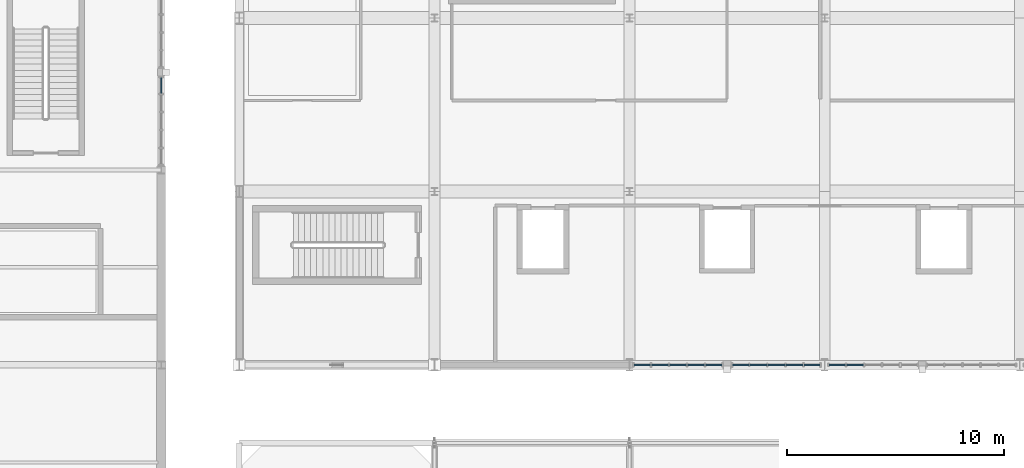
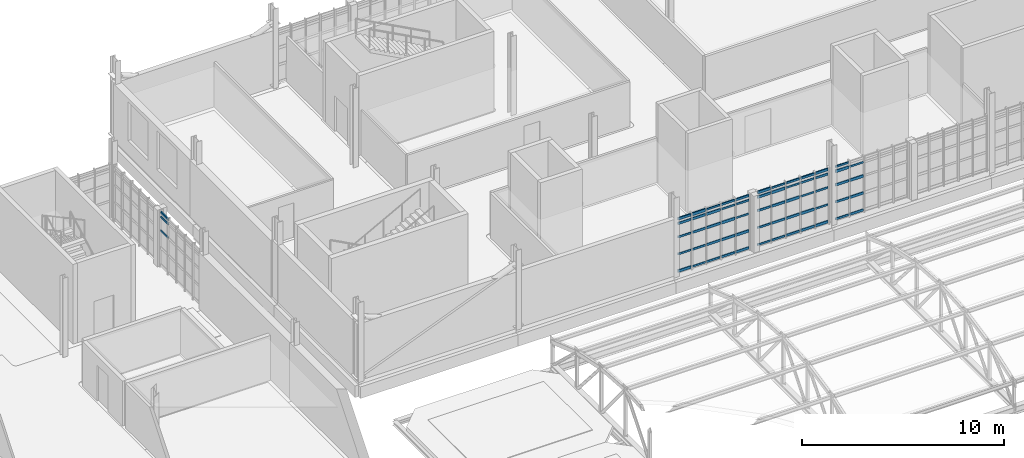
# One storey, part 61 of 128: 62 members, 4 elements without a shape of their own.
"""IFC4 building model written with IfcOpenShell, lengths in metres."""

import ifcopenshell
import ifcopenshell.guid

model = None  # the IFC model being written
_history = None  # IfcOwnerHistory: only IFC2X3 demands one
_inside = {}  # id of a spatial element -> (the spatial element, [elements in it])
_under = {}  # id of a project, library or spatial element -> (it, [spatial elements below it])
_declared = {}  # id of a project -> (the project, [libraries it declares])
_typed = {}  # id of a type object -> (the type object, [elements of that type])
_made_of = {}  # id of a material, layer set ... -> (it, [elements and type objects made of it])


def new_model(schema):
    """Start an empty IFC model of exactly this schema.

    Asked for "IFC4X3", IfcOpenShell would pick the latest addendum, in which some entities
    have other attributes; the version numbers below select the first issue.
    IFC2X3 requires an IfcOwnerHistory on every rooted entity: one is made here for all.
    """
    global model, _history
    if schema == "IFC4X3":
        model = ifcopenshell.file(schema_version=(4, 3, 0, 0))
    else:
        model = ifcopenshell.file(schema=schema)
    _inside.clear()
    _under.clear()
    _declared.clear()
    _typed.clear()
    _made_of.clear()
    _history = None
    if model.schema == "IFC2X3":
        org = make("IfcOrganization", Name="unknown")
        user = make(
            "IfcPersonAndOrganization",
            ThePerson=make("IfcPerson", FamilyName="unknown"),
            TheOrganization=org,
        )
        app = make(
            "IfcApplication",
            ApplicationDeveloper=org,
            Version="unknown",
            ApplicationFullName="unknown",
            ApplicationIdentifier="unknown",
        )
        _history = make(
            "IfcOwnerHistory",
            OwningUser=user,
            OwningApplication=app,
            ChangeAction="ADDED",
            CreationDate=0,
        )
    return model


def make(cls, **values):
    """One entity of the class cls with the attributes given. An attribute that is None is left unset."""
    return model.create_entity(
        cls, **{name: value for name, value in values.items() if value is not None}
    )


def rooted(cls, **values):
    """An entity with a GlobalId (a new one), such as an element, a storey or a relation."""
    return make(cls, GlobalId=ifcopenshell.guid.new(), OwnerHistory=_history, **values)


def si_unit(unit_type, name, prefix=None):
    """IfcSIUnit, for example si_unit("LENGTHUNIT", "METRE", prefix="MILLI")."""
    return make("IfcSIUnit", UnitType=unit_type, Prefix=prefix, Name=name)


def assignment(units):
    """IfcUnitAssignment: the units of a project."""
    return None if units is None else make("IfcUnitAssignment", Units=units)


def point(xyz):
    """IfcCartesianPoint."""
    return None if xyz is None else make("IfcCartesianPoint", Coordinates=xyz)


def direction(xyz):
    """IfcDirection."""
    return None if xyz is None else make("IfcDirection", DirectionRatios=xyz)


def frame(location, z_axis=None, x_axis=None):
    """IfcAxis2Placement3D, a coordinate frame: its origin and axes. An axis left out is left unset."""
    return make(
        "IfcAxis2Placement3D",
        Location=point(location),
        Axis=direction(z_axis),
        RefDirection=direction(x_axis),
    )


def frame_2d(location, x_axis=None):
    """IfcAxis2Placement2D, a coordinate frame in the plane: its origin and x axis."""
    return make(
        "IfcAxis2Placement2D", Location=point(location), RefDirection=direction(x_axis)
    )


def origin():
    """The frame at (0, 0, 0) with its axes left unset."""
    return frame((0.0, 0.0, 0.0))


def origin_2d():
    """The frame at (0, 0) in the plane with its x axis left unset."""
    return frame_2d((0.0, 0.0))


def place(relative_to, where):
    """IfcLocalPlacement: puts the frame where relative to a parent placement (None: the world)."""
    return make(
        "IfcLocalPlacement", PlacementRelTo=relative_to, RelativePlacement=where
    )


def context(
    kind, dimensions, precision=None, world=None, true_north=None, identifier=None
):
    """IfcGeometricRepresentationContext, for example the 3D "Model" context."""
    return make(
        "IfcGeometricRepresentationContext",
        ContextIdentifier=identifier,
        ContextType=kind,
        CoordinateSpaceDimension=dimensions,
        Precision=precision,
        WorldCoordinateSystem=world,
        TrueNorth=true_north,
    )


def subcontext(parent, identifier, kind, view, scale=None):
    """IfcGeometricRepresentationSubContext, for example "Body" below "Model"."""
    return make(
        "IfcGeometricRepresentationSubContext",
        ContextIdentifier=identifier,
        ContextType=kind,
        ParentContext=parent,
        TargetScale=scale,
        TargetView=view,
    )


def project(units=None, contexts=None):
    """IfcProject with its units and contexts."""
    return rooted(
        "IfcProject",
        Name="project",
        RepresentationContexts=contexts,
        UnitsInContext=assignment(units),
    )


def spatial(cls, under=None, at=None, **own):
    """A site, building, storey or space (cls), placed at a placement, below another one or the project."""
    s = rooted(cls, ObjectPlacement=at, **own)
    if under is not None:
        _under.setdefault(under.id(), (under, []))[1].append(s)
    return s


def profile(cls, at=None, kind="AREA", **sizes):
    """A parametric profile (cls). Its sizes go by their IFC names, for example OverallWidth=200.0."""
    return make(cls, ProfileType=kind, Position=at, **sizes)


def rectangle(**sizes):
    """IfcRectangleProfileDef."""
    return profile("IfcRectangleProfileDef", **sizes)


def extrude(swept, where, along, depth):
    """IfcExtrudedAreaSolid: the profile swept, set in the frame where, extruded along a direction by depth."""
    return make(
        "IfcExtrudedAreaSolid",
        SweptArea=swept,
        Position=where,
        ExtrudedDirection=direction(along),
        Depth=depth,
    )


def shape(context_of_items, identifier, shape_type, items):
    """IfcShapeRepresentation: the items that make up one representation, for example the "Body"."""
    return make(
        "IfcShapeRepresentation",
        ContextOfItems=context_of_items,
        RepresentationIdentifier=identifier,
        RepresentationType=shape_type,
        Items=items,
    )


def material(Name=None, Category=None):
    """IfcMaterial."""
    return make("IfcMaterial", Name=Name, Category=Category)


def material_profile(
    of_material, cross_section, Name=None, Category=None, Priority=None
):
    """IfcMaterialProfile: a cross section and its material."""
    return make(
        "IfcMaterialProfile",
        Name=Name,
        Material=of_material,
        Profile=cross_section,
        Priority=Priority,
        Category=Category,
    )


def profile_set(profiles, Name=None, composite=None):
    """IfcMaterialProfileSet."""
    return make(
        "IfcMaterialProfileSet",
        Name=Name,
        MaterialProfiles=profiles,
        CompositeProfile=composite,
    )


def made_of(thing, what):
    """Note that an element or type object is made of a material, layer set ...; save() writes the relation."""
    if what is not None:
        _made_of.setdefault(what.id(), (what, []))[1].append(thing)
    return thing


def type_object(cls, material=None, **own):
    """A type object (cls), such as IfcWallType, which elements share."""
    return made_of(rooted(cls, **own), material)


def element(
    cls,
    number,
    at=None,
    inside=None,
    cuts=None,
    type_object=None,
    material=None,
    context=None,
    identifier="Body",
    shape_type=None,
    held_by="IfcProductDefinitionShape",
    body=None,
    shapes=None,
    **own,
):
    """One element of the class cls, such as IfcWall. Its Tag is "e" and its number.

    at: its placement. inside: the storey or other place that contains it. cuts: it is an
    opening in that element (IfcRelVoidsElement). A single representation is given by context,
    identifier, shape_type and body (its items); several are given by shapes. held_by: the class
    of the entity that holds the representations. save() writes the other relations.
    """
    e = rooted(cls, Tag="e%d" % number, ObjectPlacement=at, **own)
    if body is not None:
        shapes = [shape(context, identifier, shape_type, body)]
    if shapes is not None:
        e.Representation = make(held_by, Representations=shapes)
    if inside is not None:
        _inside.setdefault(inside.id(), (inside, []))[1].append(e)
    if cuts is not None:
        rooted(
            "IfcRelVoidsElement", RelatingBuildingElement=cuts, RelatedOpeningElement=e
        )
    if type_object is not None:
        _typed.setdefault(type_object.id(), (type_object, []))[1].append(e)
    return made_of(e, material)


def aggregate(whole, parts):
    """IfcRelAggregates: a whole, such as a stair, and the parts it consists of."""
    return rooted("IfcRelAggregates", RelatingObject=whole, RelatedObjects=parts)


def save(model, path):
    """Write the relations noted so far, then the file.

    IfcRelAggregates (storeys below a building ...), IfcRelContainedInSpatialStructure (elements
    in a storey), IfcRelDefinesByType, IfcRelAssociatesMaterial and IfcRelDeclares: one each for
    every whole, place, type object, material and project.
    """
    for whole, parts in _under.values():
        aggregate(whole, parts)
    for where, things in _inside.values():
        rooted(
            "IfcRelContainedInSpatialStructure",
            RelatedElements=things,
            RelatingStructure=where,
        )
    for kind, things in _typed.values():
        rooted("IfcRelDefinesByType", RelatedObjects=things, RelatingType=kind)
    for what, things in _made_of.values():
        rooted("IfcRelAssociatesMaterial", RelatedObjects=things, RelatingMaterial=what)
    for by, libraries in _declared.values():
        rooted("IfcRelDeclares", RelatingContext=by, RelatedDefinitions=libraries)
    model.write(path)


model = new_model("IFC4")

# Units and contexts
model_context = context("Model", 3, precision=1e-05, world=origin(), true_north=direction((0.0, 1.0)))
body_context = subcontext(model_context, "Body", "Model", "MODEL_VIEW")
ifc_project = project(units=[si_unit("LENGTHUNIT", "METRE"), si_unit("AREAUNIT", "SQUARE_METRE"), si_unit("VOLUMEUNIT", "CUBIC_METRE"), si_unit("PLANEANGLEUNIT", "RADIAN"), si_unit("MASSUNIT", "GRAM", prefix="KILO")], contexts=[model_context])

# Site, building, storey
site_placement = place(None, origin())
site = spatial("IfcSite", under=ifc_project, at=site_placement, CompositionType="ELEMENT")
building_placement = place(site_placement, origin())
building = spatial("IfcBuilding", under=site, at=building_placement, Name="Serraforn Aerial Cableway Station", CompositionType="ELEMENT")
storey_placement = place(building_placement, frame((0.0, 0.0, 9.0)))
storey = spatial("IfcBuildingStorey", under=building, at=storey_placement, Name="L02", CompositionType="ELEMENT", Elevation=9.0)

# Curtain wall, member
ifc_material_1 = material(Name="Anodised bronze unitised curtain wall")
curtain_wall_type_1 = type_object("IfcCurtainWallType", Name="CW-SYS-5", PredefinedType="USERDEFINED", material=ifc_material_1)
curtain_wall_1_placement = place(storey_placement, origin())
curtain_wall_1 = element("IfcCurtainWall", 1, at=curtain_wall_1_placement, inside=storey, type_object=curtain_wall_type_1, Name="Unitised Curtain Wall CW-W-L02-E3A", ObjectType="UNITISED CURTAIN WALL", PredefinedType="USERDEFINED")
ifc_material_2 = material(Name="Anodised bronze extruded aluminium", Category="aluminium")
ifc_material_profile_1 = material_profile(ifc_material_2, rectangle(XDim=0.054931640625, YDim=0.110107421875, at=origin_2d()), Name="CW TRANSOM 55x110")
ifc_profile_set_1 = profile_set([ifc_material_profile_1], Name="Anodised bronze extruded aluminium")
member_type_1 = type_object("IfcMemberType", Name="CW-TRN-1", PredefinedType="USERDEFINED", material=ifc_profile_set_1)
member_1_placement = place(storey_placement, frame((24.0, 30.522216796875, 2.188720703125), z_axis=(0.0, 1.0, 0.0), x_axis=(-1.0, 0.0, 0.0)))
member_1 = element("IfcMember", 2, at=member_1_placement, type_object=member_type_1, Name="Curtain Wall Transom CW-W-L02-E3A-T5-3", ObjectType="TRANSOM", PredefinedType="USERDEFINED", context=body_context, shape_type="SweptSolid", body=[
    extrude(rectangle(XDim=0.054931640625, YDim=0.110107421875, at=origin_2d()), origin(), (0.0, 0.0, 1.0), 0.729736328125),
])

# Curtain wall, members
curtain_wall_type_2 = type_object("IfcCurtainWallType", Name="CW-SYS-19", PredefinedType="USERDEFINED", material=ifc_material_1)
curtain_wall_2_placement = place(storey_placement, origin())
curtain_wall_2 = element("IfcCurtainWall", 3, at=curtain_wall_2_placement, inside=storey, type_object=curtain_wall_type_2, Name="Unitised Curtain Wall CW-CV-L02-S3A", ObjectType="UNITISED CURTAIN WALL", PredefinedType="USERDEFINED")
member_2_placement = place(storey_placement, frame((45.81591796875, 18.0, 1.162841796875), z_axis=(1.0, 0.0, 0.0), x_axis=(0.0, 1.0, 0.0)))
member_2 = element("IfcMember", 4, at=member_2_placement, type_object=member_type_1, Name="Curtain Wall Transom CW-CV-L02-S3A-T1-2", ObjectType="TRANSOM", PredefinedType="USERDEFINED", context=body_context, shape_type="SweptSolid", body=[
    extrude(rectangle(XDim=0.054931640625, YDim=0.110107421875, at=origin_2d()), origin(), (0.0, 0.0, 1.0), 0.73095703125),
])
member_3_placement = place(storey_placement, frame((46.617919921875, 18.0, 0.13671875), z_axis=(1.0, 0.0, 0.0), x_axis=(0.0, 1.0, 0.0)))
member_3 = element("IfcMember", 5, at=member_3_placement, type_object=member_type_1, Name="Curtain Wall Transom CW-CV-L02-S3A-T2-1", ObjectType="TRANSOM", PredefinedType="USERDEFINED", context=body_context, shape_type="SweptSolid", body=[
    extrude(rectangle(XDim=0.054931640625, YDim=0.110107421875, at=origin_2d()), origin(), (0.0, 0.0, 1.0), 0.7734375),
])
member_4_placement = place(storey_placement, frame((47.4423828125, 18.0, 3.283203125), z_axis=(1.0, 0.0, 0.0), x_axis=(0.0, 1.0, 0.0)))
member_4 = element("IfcMember", 6, at=member_4_placement, type_object=member_type_1, Name="Curtain Wall Transom CW-CV-L02-S3A-T3-5", ObjectType="TRANSOM", PredefinedType="USERDEFINED", context=body_context, shape_type="SweptSolid", body=[
    extrude(rectangle(XDim=0.054931640625, YDim=0.110107421875, at=origin_2d()), origin(), (0.0, 0.0, 1.0), 0.78076171875),
])
member_5_placement = place(storey_placement, frame((48.279296875, 18.0, 3.009521484375), z_axis=(1.0, 0.0, 0.0), x_axis=(0.0, 1.0, 0.0)))
member_5 = element("IfcMember", 7, at=member_5_placement, type_object=member_type_1, Name="Curtain Wall Transom CW-CV-L02-S3A-T4-4", ObjectType="TRANSOM", PredefinedType="USERDEFINED", context=body_context, shape_type="SweptSolid", body=[
    extrude(rectangle(XDim=0.054931640625, YDim=0.110107421875, at=origin_2d()), origin(), (0.0, 0.0, 1.0), 0.77587890625),
])
member_6_placement = place(storey_placement, frame((49.1162109375, 18.0, 2.188720703125), z_axis=(1.0, 0.0, 0.0), x_axis=(0.0, 1.0, 0.0)))
member_6 = element("IfcMember", 8, at=member_6_placement, type_object=member_type_1, Name="Curtain Wall Transom CW-CV-L02-S3A-T5-3", ObjectType="TRANSOM", PredefinedType="USERDEFINED", context=body_context, shape_type="SweptSolid", body=[
    extrude(rectangle(XDim=0.054931640625, YDim=0.110107421875, at=origin_2d()), origin(), (0.0, 0.0, 1.0), 0.73583984375),
])

curtain_wall_type_3 = type_object("IfcCurtainWallType", Name="CW-SYS-20", PredefinedType="USERDEFINED", material=ifc_material_1)
curtain_wall_3_placement = place(storey_placement, origin())
curtain_wall_3 = element("IfcCurtainWall", 9, at=curtain_wall_3_placement, inside=storey, type_object=curtain_wall_type_3, Name="Unitised Curtain Wall CW-CV-L02-S3B", ObjectType="UNITISED CURTAIN WALL", PredefinedType="USERDEFINED")
member_7_placement = place(storey_placement, frame((50.35302734375, 18.0, 0.13671875), z_axis=(1.0, 0.0, 0.0), x_axis=(0.0, 1.0, 0.0)))
member_7 = element("IfcMember", 10, at=member_7_placement, type_object=member_type_1, Name="Curtain Wall Transom CW-CV-L02-S3B-T1-1", ObjectType="TRANSOM", PredefinedType="USERDEFINED", context=body_context, shape_type="SweptSolid", body=[
    extrude(rectangle(XDim=0.054931640625, YDim=0.110107421875, at=origin_2d()), origin(), (0.0, 0.0, 1.0), 0.73583984375),
])
member_8_placement = place(storey_placement, frame((51.139892578125, 18.0, 3.283203125), z_axis=(1.0, 0.0, 0.0), x_axis=(0.0, 1.0, 0.0)))
member_8 = element("IfcMember", 11, at=member_8_placement, type_object=member_type_1, Name="Curtain Wall Transom CW-CV-L02-S3B-T2-5", ObjectType="TRANSOM", PredefinedType="USERDEFINED", context=body_context, shape_type="SweptSolid", body=[
    extrude(rectangle(XDim=0.054931640625, YDim=0.110107421875, at=origin_2d()), origin(), (0.0, 0.0, 1.0), 0.781005859375),
])
member_9_placement = place(storey_placement, frame((51.976806640625, 18.0, 3.009521484375), z_axis=(1.0, 0.0, 0.0), x_axis=(0.0, 1.0, 0.0)))
member_9 = element("IfcMember", 12, at=member_9_placement, type_object=member_type_1, Name="Curtain Wall Transom CW-CV-L02-S3B-T3-4", ObjectType="TRANSOM", PredefinedType="USERDEFINED", context=body_context, shape_type="SweptSolid", body=[
    extrude(rectangle(XDim=0.054931640625, YDim=0.110107421875, at=origin_2d()), origin(), (0.0, 0.0, 1.0), 0.77587890625),
])
member_10_placement = place(storey_placement, frame((52.813720703125, 18.0, 2.188720703125), z_axis=(1.0, 0.0, 0.0), x_axis=(0.0, 1.0, 0.0)))
member_10 = element("IfcMember", 13, at=member_10_placement, type_object=member_type_1, Name="Curtain Wall Transom CW-CV-L02-S3B-T4-3", ObjectType="TRANSOM", PredefinedType="USERDEFINED", context=body_context, shape_type="SweptSolid", body=[
    extrude(rectangle(XDim=0.054931640625, YDim=0.110107421875, at=origin_2d()), origin(), (0.0, 0.0, 1.0), 0.77099609375),
])
member_11_placement = place(storey_placement, frame((53.650634765625, 18.0, 1.162841796875), z_axis=(1.0, 0.0, 0.0), x_axis=(0.0, 1.0, 0.0)))
member_11 = element("IfcMember", 14, at=member_11_placement, type_object=member_type_1, Name="Curtain Wall Transom CW-CV-L02-S3B-T5-2", ObjectType="TRANSOM", PredefinedType="USERDEFINED", context=body_context, shape_type="SweptSolid", body=[
    extrude(rectangle(XDim=0.054931640625, YDim=0.110107421875, at=origin_2d()), origin(), (0.0, 0.0, 1.0), 0.728271484375),
])

curtain_wall_type_4 = type_object("IfcCurtainWallType", Name="CW-SYS-21", PredefinedType="USERDEFINED", material=ifc_material_1)
curtain_wall_4_placement = place(storey_placement, origin())
curtain_wall_4 = element("IfcCurtainWall", 15, at=curtain_wall_4_placement, inside=storey, type_object=curtain_wall_type_4, Name="Unitised Curtain Wall CW-CV-L02-S4A", ObjectType="UNITISED CURTAIN WALL", PredefinedType="USERDEFINED")
member_12_placement = place(storey_placement, frame((54.801025390625, 18.0, 3.283203125), z_axis=(1.0, 0.0, 0.0), x_axis=(0.0, 1.0, 0.0)))
member_12 = element("IfcMember", 16, at=member_12_placement, type_object=member_type_1, Name="Curtain Wall Transom CW-CV-L02-S4A-T1-5", ObjectType="TRANSOM", PredefinedType="USERDEFINED", context=body_context, shape_type="SweptSolid", body=[
    extrude(rectangle(XDim=0.054931640625, YDim=0.110107421875, at=origin_2d()), origin(), (0.0, 0.0, 1.0), 0.75341796875),
])
member_13_placement = place(storey_placement, frame((55.6103515625, 18.0, 3.009521484375), z_axis=(1.0, 0.0, 0.0), x_axis=(0.0, 1.0, 0.0)))
member_13 = element("IfcMember", 17, at=member_13_placement, type_object=member_type_1, Name="Curtain Wall Transom CW-CV-L02-S4A-T2-4", ObjectType="TRANSOM", PredefinedType="USERDEFINED", context=body_context, shape_type="SweptSolid", body=[
    extrude(rectangle(XDim=0.054931640625, YDim=0.110107421875, at=origin_2d()), origin(), (0.0, 0.0, 1.0), 0.77587890625),
])

# Member
ifc_material_profile_2 = material_profile(ifc_material_2, rectangle(XDim=0.06005859375, YDim=0.1201171875, at=origin_2d()), Name="CW TRANSOM 60x120")
ifc_profile_set_2 = profile_set([ifc_material_profile_2], Name="Anodised bronze extruded aluminium")
member_type_2 = type_object("IfcMemberType", Name="CW-TRN-2", PredefinedType="USERDEFINED", material=ifc_profile_set_2)
member_14_placement = place(storey_placement, frame((24.0, 30.522216796875, 3.009521484375), z_axis=(0.0, 1.0, 0.0), x_axis=(-1.0, 0.0, 0.0)))
member_14 = element("IfcMember", 18, at=member_14_placement, type_object=member_type_2, Name="Curtain Wall Transom CW-W-L02-E3A-T5-4", ObjectType="TRANSOM", PredefinedType="USERDEFINED", context=body_context, shape_type="SweptSolid", body=[
    extrude(rectangle(XDim=0.06005859375, YDim=0.1201171875, at=origin_2d()), origin(), (0.0, 0.0, 1.0), 0.729736328125),
])

member_15_placement = place(storey_placement, frame((45.81591796875, 18.0, 2.188720703125), z_axis=(1.0, 0.0, 0.0), x_axis=(0.0, 1.0, 0.0)))
member_15 = element("IfcMember", 19, at=member_15_placement, type_object=member_type_2, Name="Curtain Wall Transom CW-CV-L02-S3A-T1-3", ObjectType="TRANSOM", PredefinedType="USERDEFINED", context=body_context, shape_type="SweptSolid", body=[
    extrude(rectangle(XDim=0.06005859375, YDim=0.1201171875, at=origin_2d()), origin(), (0.0, 0.0, 1.0), 0.73095703125),
])

member_16_placement = place(storey_placement, frame((46.617919921875, 18.0, 1.162841796875), z_axis=(1.0, 0.0, 0.0), x_axis=(0.0, 1.0, 0.0)))
member_16 = element("IfcMember", 20, at=member_16_placement, type_object=member_type_2, Name="Curtain Wall Transom CW-CV-L02-S3A-T2-2", ObjectType="TRANSOM", PredefinedType="USERDEFINED", context=body_context, shape_type="SweptSolid", body=[
    extrude(rectangle(XDim=0.06005859375, YDim=0.1201171875, at=origin_2d()), origin(), (0.0, 0.0, 1.0), 0.7734375),
])

member_17_placement = place(storey_placement, frame((47.4423828125, 18.0, 0.13671875), z_axis=(1.0, 0.0, 0.0), x_axis=(0.0, 1.0, 0.0)))
member_17 = element("IfcMember", 21, at=member_17_placement, type_object=member_type_2, Name="Curtain Wall Transom CW-CV-L02-S3A-T3-1", ObjectType="TRANSOM", PredefinedType="USERDEFINED", context=body_context, shape_type="SweptSolid", body=[
    extrude(rectangle(XDim=0.06005859375, YDim=0.1201171875, at=origin_2d()), origin(), (0.0, 0.0, 1.0), 0.78076171875),
])

member_18_placement = place(storey_placement, frame((48.279296875, 18.0, 3.283203125), z_axis=(1.0, 0.0, 0.0), x_axis=(0.0, 1.0, 0.0)))
member_18 = element("IfcMember", 22, at=member_18_placement, type_object=member_type_2, Name="Curtain Wall Transom CW-CV-L02-S3A-T4-5", ObjectType="TRANSOM", PredefinedType="USERDEFINED", context=body_context, shape_type="SweptSolid", body=[
    extrude(rectangle(XDim=0.06005859375, YDim=0.1201171875, at=origin_2d()), origin(), (0.0, 0.0, 1.0), 0.77587890625),
])

member_19_placement = place(storey_placement, frame((49.1162109375, 18.0, 3.009521484375), z_axis=(1.0, 0.0, 0.0), x_axis=(0.0, 1.0, 0.0)))
member_19 = element("IfcMember", 23, at=member_19_placement, type_object=member_type_2, Name="Curtain Wall Transom CW-CV-L02-S3A-T5-4", ObjectType="TRANSOM", PredefinedType="USERDEFINED", context=body_context, shape_type="SweptSolid", body=[
    extrude(rectangle(XDim=0.06005859375, YDim=0.1201171875, at=origin_2d()), origin(), (0.0, 0.0, 1.0), 0.73583984375),
])

member_20_placement = place(storey_placement, frame((50.35302734375, 18.0, 1.162841796875), z_axis=(1.0, 0.0, 0.0), x_axis=(0.0, 1.0, 0.0)))
member_20 = element("IfcMember", 24, at=member_20_placement, type_object=member_type_2, Name="Curtain Wall Transom CW-CV-L02-S3B-T1-2", ObjectType="TRANSOM", PredefinedType="USERDEFINED", context=body_context, shape_type="SweptSolid", body=[
    extrude(rectangle(XDim=0.06005859375, YDim=0.1201171875, at=origin_2d()), origin(), (0.0, 0.0, 1.0), 0.73583984375),
])

member_21_placement = place(storey_placement, frame((51.139892578125, 18.0, 0.13671875), z_axis=(1.0, 0.0, 0.0), x_axis=(0.0, 1.0, 0.0)))
member_21 = element("IfcMember", 25, at=member_21_placement, type_object=member_type_2, Name="Curtain Wall Transom CW-CV-L02-S3B-T2-1", ObjectType="TRANSOM", PredefinedType="USERDEFINED", context=body_context, shape_type="SweptSolid", body=[
    extrude(rectangle(XDim=0.06005859375, YDim=0.1201171875, at=origin_2d()), origin(), (0.0, 0.0, 1.0), 0.781005859375),
])

member_22_placement = place(storey_placement, frame((51.976806640625, 18.0, 3.283203125), z_axis=(1.0, 0.0, 0.0), x_axis=(0.0, 1.0, 0.0)))
member_22 = element("IfcMember", 26, at=member_22_placement, type_object=member_type_2, Name="Curtain Wall Transom CW-CV-L02-S3B-T3-5", ObjectType="TRANSOM", PredefinedType="USERDEFINED", context=body_context, shape_type="SweptSolid", body=[
    extrude(rectangle(XDim=0.06005859375, YDim=0.1201171875, at=origin_2d()), origin(), (0.0, 0.0, 1.0), 0.77587890625),
])

member_23_placement = place(storey_placement, frame((52.813720703125, 18.0, 3.009521484375), z_axis=(1.0, 0.0, 0.0), x_axis=(0.0, 1.0, 0.0)))
member_23 = element("IfcMember", 27, at=member_23_placement, type_object=member_type_2, Name="Curtain Wall Transom CW-CV-L02-S3B-T4-4", ObjectType="TRANSOM", PredefinedType="USERDEFINED", context=body_context, shape_type="SweptSolid", body=[
    extrude(rectangle(XDim=0.06005859375, YDim=0.1201171875, at=origin_2d()), origin(), (0.0, 0.0, 1.0), 0.77099609375),
])

member_24_placement = place(storey_placement, frame((53.650634765625, 18.0, 2.188720703125), z_axis=(1.0, 0.0, 0.0), x_axis=(0.0, 1.0, 0.0)))
member_24 = element("IfcMember", 28, at=member_24_placement, type_object=member_type_2, Name="Curtain Wall Transom CW-CV-L02-S3B-T5-3", ObjectType="TRANSOM", PredefinedType="USERDEFINED", context=body_context, shape_type="SweptSolid", body=[
    extrude(rectangle(XDim=0.06005859375, YDim=0.1201171875, at=origin_2d()), origin(), (0.0, 0.0, 1.0), 0.728271484375),
])

member_25_placement = place(storey_placement, frame((54.801025390625, 18.0, 0.13671875), z_axis=(1.0, 0.0, 0.0), x_axis=(0.0, 1.0, 0.0)))
member_25 = element("IfcMember", 29, at=member_25_placement, type_object=member_type_2, Name="Curtain Wall Transom CW-CV-L02-S4A-T1-1", ObjectType="TRANSOM", PredefinedType="USERDEFINED", context=body_context, shape_type="SweptSolid", body=[
    extrude(rectangle(XDim=0.06005859375, YDim=0.1201171875, at=origin_2d()), origin(), (0.0, 0.0, 1.0), 0.75341796875),
])

ifc_material_profile_3 = material_profile(ifc_material_2, rectangle(XDim=0.06494140625, YDim=0.135009765625, at=origin_2d()), Name="CW TRANSOM 65x135")
ifc_profile_set_3 = profile_set([ifc_material_profile_3], Name="Anodised bronze extruded aluminium")
member_type_3 = type_object("IfcMemberType", Name="CW-TRN-3", PredefinedType="USERDEFINED", material=ifc_profile_set_3)
member_26_placement = place(storey_placement, frame((24.0, 30.522216796875, 3.283203125), z_axis=(0.0, 1.0, 0.0), x_axis=(-1.0, 0.0, 0.0)))
member_26 = element("IfcMember", 30, at=member_26_placement, type_object=member_type_3, Name="Curtain Wall Transom CW-W-L02-E3A-T5-5", ObjectType="TRANSOM", PredefinedType="USERDEFINED", context=body_context, shape_type="SweptSolid", body=[
    extrude(rectangle(XDim=0.06494140625, YDim=0.135009765625, at=origin_2d()), origin(), (0.0, 0.0, 1.0), 0.729736328125),
])

aggregate(curtain_wall_1, [member_1, member_14, member_26])

member_27_placement = place(storey_placement, frame((45.81591796875, 18.0, 3.009521484375), z_axis=(1.0, 0.0, 0.0), x_axis=(0.0, 1.0, 0.0)))
member_27 = element("IfcMember", 31, at=member_27_placement, type_object=member_type_3, Name="Curtain Wall Transom CW-CV-L02-S3A-T1-4", ObjectType="TRANSOM", PredefinedType="USERDEFINED", context=body_context, shape_type="SweptSolid", body=[
    extrude(rectangle(XDim=0.06494140625, YDim=0.135009765625, at=origin_2d()), origin(), (0.0, 0.0, 1.0), 0.73095703125),
])

member_28_placement = place(storey_placement, frame((46.617919921875, 18.0, 2.188720703125), z_axis=(1.0, 0.0, 0.0), x_axis=(0.0, 1.0, 0.0)))
member_28 = element("IfcMember", 32, at=member_28_placement, type_object=member_type_3, Name="Curtain Wall Transom CW-CV-L02-S3A-T2-3", ObjectType="TRANSOM", PredefinedType="USERDEFINED", context=body_context, shape_type="SweptSolid", body=[
    extrude(rectangle(XDim=0.06494140625, YDim=0.135009765625, at=origin_2d()), origin(), (0.0, 0.0, 1.0), 0.7734375),
])

member_29_placement = place(storey_placement, frame((47.4423828125, 18.0, 1.162841796875), z_axis=(1.0, 0.0, 0.0), x_axis=(0.0, 1.0, 0.0)))
member_29 = element("IfcMember", 33, at=member_29_placement, type_object=member_type_3, Name="Curtain Wall Transom CW-CV-L02-S3A-T3-2", ObjectType="TRANSOM", PredefinedType="USERDEFINED", context=body_context, shape_type="SweptSolid", body=[
    extrude(rectangle(XDim=0.06494140625, YDim=0.135009765625, at=origin_2d()), origin(), (0.0, 0.0, 1.0), 0.78076171875),
])

member_30_placement = place(storey_placement, frame((48.279296875, 18.0, 0.13671875), z_axis=(1.0, 0.0, 0.0), x_axis=(0.0, 1.0, 0.0)))
member_30 = element("IfcMember", 34, at=member_30_placement, type_object=member_type_3, Name="Curtain Wall Transom CW-CV-L02-S3A-T4-1", ObjectType="TRANSOM", PredefinedType="USERDEFINED", context=body_context, shape_type="SweptSolid", body=[
    extrude(rectangle(XDim=0.06494140625, YDim=0.135009765625, at=origin_2d()), origin(), (0.0, 0.0, 1.0), 0.77587890625),
])

member_31_placement = place(storey_placement, frame((49.1162109375, 18.0, 3.283203125), z_axis=(1.0, 0.0, 0.0), x_axis=(0.0, 1.0, 0.0)))
member_31 = element("IfcMember", 35, at=member_31_placement, type_object=member_type_3, Name="Curtain Wall Transom CW-CV-L02-S3A-T5-5", ObjectType="TRANSOM", PredefinedType="USERDEFINED", context=body_context, shape_type="SweptSolid", body=[
    extrude(rectangle(XDim=0.06494140625, YDim=0.135009765625, at=origin_2d()), origin(), (0.0, 0.0, 1.0), 0.73583984375),
])

member_32_placement = place(storey_placement, frame((50.35302734375, 18.0, 2.188720703125), z_axis=(1.0, 0.0, 0.0), x_axis=(0.0, 1.0, 0.0)))
member_32 = element("IfcMember", 36, at=member_32_placement, type_object=member_type_3, Name="Curtain Wall Transom CW-CV-L02-S3B-T1-3", ObjectType="TRANSOM", PredefinedType="USERDEFINED", context=body_context, shape_type="SweptSolid", body=[
    extrude(rectangle(XDim=0.06494140625, YDim=0.135009765625, at=origin_2d()), origin(), (0.0, 0.0, 1.0), 0.73583984375),
])

member_33_placement = place(storey_placement, frame((51.139892578125, 18.0, 1.162841796875), z_axis=(1.0, 0.0, 0.0), x_axis=(0.0, 1.0, 0.0)))
member_33 = element("IfcMember", 37, at=member_33_placement, type_object=member_type_3, Name="Curtain Wall Transom CW-CV-L02-S3B-T2-2", ObjectType="TRANSOM", PredefinedType="USERDEFINED", context=body_context, shape_type="SweptSolid", body=[
    extrude(rectangle(XDim=0.06494140625, YDim=0.135009765625, at=origin_2d()), origin(), (0.0, 0.0, 1.0), 0.781005859375),
])

member_34_placement = place(storey_placement, frame((51.976806640625, 18.0, 0.13671875), z_axis=(1.0, 0.0, 0.0), x_axis=(0.0, 1.0, 0.0)))
member_34 = element("IfcMember", 38, at=member_34_placement, type_object=member_type_3, Name="Curtain Wall Transom CW-CV-L02-S3B-T3-1", ObjectType="TRANSOM", PredefinedType="USERDEFINED", context=body_context, shape_type="SweptSolid", body=[
    extrude(rectangle(XDim=0.06494140625, YDim=0.135009765625, at=origin_2d()), origin(), (0.0, 0.0, 1.0), 0.77587890625),
])

member_35_placement = place(storey_placement, frame((52.813720703125, 18.0, 3.283203125), z_axis=(1.0, 0.0, 0.0), x_axis=(0.0, 1.0, 0.0)))
member_35 = element("IfcMember", 39, at=member_35_placement, type_object=member_type_3, Name="Curtain Wall Transom CW-CV-L02-S3B-T4-5", ObjectType="TRANSOM", PredefinedType="USERDEFINED", context=body_context, shape_type="SweptSolid", body=[
    extrude(rectangle(XDim=0.06494140625, YDim=0.135009765625, at=origin_2d()), origin(), (0.0, 0.0, 1.0), 0.77099609375),
])

member_36_placement = place(storey_placement, frame((53.650634765625, 18.0, 3.009521484375), z_axis=(1.0, 0.0, 0.0), x_axis=(0.0, 1.0, 0.0)))
member_36 = element("IfcMember", 40, at=member_36_placement, type_object=member_type_3, Name="Curtain Wall Transom CW-CV-L02-S3B-T5-4", ObjectType="TRANSOM", PredefinedType="USERDEFINED", context=body_context, shape_type="SweptSolid", body=[
    extrude(rectangle(XDim=0.06494140625, YDim=0.135009765625, at=origin_2d()), origin(), (0.0, 0.0, 1.0), 0.728271484375),
])

member_37_placement = place(storey_placement, frame((54.801025390625, 18.0, 1.162841796875), z_axis=(1.0, 0.0, 0.0), x_axis=(0.0, 1.0, 0.0)))
member_37 = element("IfcMember", 41, at=member_37_placement, type_object=member_type_3, Name="Curtain Wall Transom CW-CV-L02-S4A-T1-2", ObjectType="TRANSOM", PredefinedType="USERDEFINED", context=body_context, shape_type="SweptSolid", body=[
    extrude(rectangle(XDim=0.06494140625, YDim=0.135009765625, at=origin_2d()), origin(), (0.0, 0.0, 1.0), 0.75341796875),
])

member_38_placement = place(storey_placement, frame((55.6103515625, 18.0, 0.13671875), z_axis=(1.0, 0.0, 0.0), x_axis=(0.0, 1.0, 0.0)))
member_38 = element("IfcMember", 42, at=member_38_placement, type_object=member_type_3, Name="Curtain Wall Transom CW-CV-L02-S4A-T2-1", ObjectType="TRANSOM", PredefinedType="USERDEFINED", context=body_context, shape_type="SweptSolid", body=[
    extrude(rectangle(XDim=0.06494140625, YDim=0.135009765625, at=origin_2d()), origin(), (0.0, 0.0, 1.0), 0.77587890625),
])

ifc_material_profile_4 = material_profile(ifc_material_2, rectangle(XDim=0.070068359375, YDim=0.14990234375, at=origin_2d()), Name="CW TRANSOM 70x150")
ifc_profile_set_4 = profile_set([ifc_material_profile_4], Name="Anodised bronze extruded aluminium")
member_type_4 = type_object("IfcMemberType", Name="CW-TRN-4", PredefinedType="USERDEFINED", material=ifc_profile_set_4)
member_39_placement = place(storey_placement, frame((45.81591796875, 18.0, 3.283203125), z_axis=(1.0, 0.0, 0.0), x_axis=(0.0, 1.0, 0.0)))
member_39 = element("IfcMember", 43, at=member_39_placement, type_object=member_type_4, Name="Curtain Wall Transom CW-CV-L02-S3A-T1-5", ObjectType="TRANSOM", PredefinedType="USERDEFINED", context=body_context, shape_type="SweptSolid", body=[
    extrude(rectangle(XDim=0.070068359375, YDim=0.14990234375, at=origin_2d()), origin(), (0.0, 0.0, 1.0), 0.73095703125),
])

member_40_placement = place(storey_placement, frame((46.617919921875, 18.0, 3.009521484375), z_axis=(1.0, 0.0, 0.0), x_axis=(0.0, 1.0, 0.0)))
member_40 = element("IfcMember", 44, at=member_40_placement, type_object=member_type_4, Name="Curtain Wall Transom CW-CV-L02-S3A-T2-4", ObjectType="TRANSOM", PredefinedType="USERDEFINED", context=body_context, shape_type="SweptSolid", body=[
    extrude(rectangle(XDim=0.070068359375, YDim=0.14990234375, at=origin_2d()), origin(), (0.0, 0.0, 1.0), 0.7734375),
])

member_41_placement = place(storey_placement, frame((47.4423828125, 18.0, 2.188720703125), z_axis=(1.0, 0.0, 0.0), x_axis=(0.0, 1.0, 0.0)))
member_41 = element("IfcMember", 45, at=member_41_placement, type_object=member_type_4, Name="Curtain Wall Transom CW-CV-L02-S3A-T3-3", ObjectType="TRANSOM", PredefinedType="USERDEFINED", context=body_context, shape_type="SweptSolid", body=[
    extrude(rectangle(XDim=0.070068359375, YDim=0.14990234375, at=origin_2d()), origin(), (0.0, 0.0, 1.0), 0.78076171875),
])

member_42_placement = place(storey_placement, frame((48.279296875, 18.0, 1.162841796875), z_axis=(1.0, 0.0, 0.0), x_axis=(0.0, 1.0, 0.0)))
member_42 = element("IfcMember", 46, at=member_42_placement, type_object=member_type_4, Name="Curtain Wall Transom CW-CV-L02-S3A-T4-2", ObjectType="TRANSOM", PredefinedType="USERDEFINED", context=body_context, shape_type="SweptSolid", body=[
    extrude(rectangle(XDim=0.070068359375, YDim=0.14990234375, at=origin_2d()), origin(), (0.0, 0.0, 1.0), 0.77587890625),
])

member_43_placement = place(storey_placement, frame((49.1162109375, 18.0, 0.13671875), z_axis=(1.0, 0.0, 0.0), x_axis=(0.0, 1.0, 0.0)))
member_43 = element("IfcMember", 47, at=member_43_placement, type_object=member_type_4, Name="Curtain Wall Transom CW-CV-L02-S3A-T5-1", ObjectType="TRANSOM", PredefinedType="USERDEFINED", context=body_context, shape_type="SweptSolid", body=[
    extrude(rectangle(XDim=0.070068359375, YDim=0.14990234375, at=origin_2d()), origin(), (0.0, 0.0, 1.0), 0.73583984375),
])

member_44_placement = place(storey_placement, frame((50.35302734375, 18.0, 3.009521484375), z_axis=(1.0, 0.0, 0.0), x_axis=(0.0, 1.0, 0.0)))
member_44 = element("IfcMember", 48, at=member_44_placement, type_object=member_type_4, Name="Curtain Wall Transom CW-CV-L02-S3B-T1-4", ObjectType="TRANSOM", PredefinedType="USERDEFINED", context=body_context, shape_type="SweptSolid", body=[
    extrude(rectangle(XDim=0.070068359375, YDim=0.14990234375, at=origin_2d()), origin(), (0.0, 0.0, 1.0), 0.73583984375),
])

member_45_placement = place(storey_placement, frame((51.139892578125, 18.0, 2.188720703125), z_axis=(1.0, 0.0, 0.0), x_axis=(0.0, 1.0, 0.0)))
member_45 = element("IfcMember", 49, at=member_45_placement, type_object=member_type_4, Name="Curtain Wall Transom CW-CV-L02-S3B-T2-3", ObjectType="TRANSOM", PredefinedType="USERDEFINED", context=body_context, shape_type="SweptSolid", body=[
    extrude(rectangle(XDim=0.070068359375, YDim=0.14990234375, at=origin_2d()), origin(), (0.0, 0.0, 1.0), 0.781005859375),
])

member_46_placement = place(storey_placement, frame((51.976806640625, 18.0, 1.162841796875), z_axis=(1.0, 0.0, 0.0), x_axis=(0.0, 1.0, 0.0)))
member_46 = element("IfcMember", 50, at=member_46_placement, type_object=member_type_4, Name="Curtain Wall Transom CW-CV-L02-S3B-T3-2", ObjectType="TRANSOM", PredefinedType="USERDEFINED", context=body_context, shape_type="SweptSolid", body=[
    extrude(rectangle(XDim=0.070068359375, YDim=0.14990234375, at=origin_2d()), origin(), (0.0, 0.0, 1.0), 0.77587890625),
])

member_47_placement = place(storey_placement, frame((52.813720703125, 18.0, 0.13671875), z_axis=(1.0, 0.0, 0.0), x_axis=(0.0, 1.0, 0.0)))
member_47 = element("IfcMember", 51, at=member_47_placement, type_object=member_type_4, Name="Curtain Wall Transom CW-CV-L02-S3B-T4-1", ObjectType="TRANSOM", PredefinedType="USERDEFINED", context=body_context, shape_type="SweptSolid", body=[
    extrude(rectangle(XDim=0.070068359375, YDim=0.14990234375, at=origin_2d()), origin(), (0.0, 0.0, 1.0), 0.77099609375),
])

member_48_placement = place(storey_placement, frame((53.650634765625, 18.0, 3.283203125), z_axis=(1.0, 0.0, 0.0), x_axis=(0.0, 1.0, 0.0)))
member_48 = element("IfcMember", 52, at=member_48_placement, type_object=member_type_4, Name="Curtain Wall Transom CW-CV-L02-S3B-T5-5", ObjectType="TRANSOM", PredefinedType="USERDEFINED", context=body_context, shape_type="SweptSolid", body=[
    extrude(rectangle(XDim=0.070068359375, YDim=0.14990234375, at=origin_2d()), origin(), (0.0, 0.0, 1.0), 0.728271484375),
])

member_49_placement = place(storey_placement, frame((54.801025390625, 18.0, 2.188720703125), z_axis=(1.0, 0.0, 0.0), x_axis=(0.0, 1.0, 0.0)))
member_49 = element("IfcMember", 53, at=member_49_placement, type_object=member_type_4, Name="Curtain Wall Transom CW-CV-L02-S4A-T1-3", ObjectType="TRANSOM", PredefinedType="USERDEFINED", context=body_context, shape_type="SweptSolid", body=[
    extrude(rectangle(XDim=0.070068359375, YDim=0.14990234375, at=origin_2d()), origin(), (0.0, 0.0, 1.0), 0.75341796875),
])

member_50_placement = place(storey_placement, frame((55.6103515625, 18.0, 1.162841796875), z_axis=(1.0, 0.0, 0.0), x_axis=(0.0, 1.0, 0.0)))
member_50 = element("IfcMember", 54, at=member_50_placement, type_object=member_type_4, Name="Curtain Wall Transom CW-CV-L02-S4A-T2-2", ObjectType="TRANSOM", PredefinedType="USERDEFINED", context=body_context, shape_type="SweptSolid", body=[
    extrude(rectangle(XDim=0.070068359375, YDim=0.14990234375, at=origin_2d()), origin(), (0.0, 0.0, 1.0), 0.77587890625),
])

ifc_material_profile_5 = material_profile(ifc_material_2, rectangle(XDim=0.074951171875, YDim=0.1650390625, at=origin_2d()), Name="CW TRANSOM 75x165")
ifc_profile_set_5 = profile_set([ifc_material_profile_5], Name="Anodised bronze extruded aluminium")
member_type_5 = type_object("IfcMemberType", Name="CW-TRN-5", PredefinedType="USERDEFINED", material=ifc_profile_set_5)
member_51_placement = place(storey_placement, frame((45.81591796875, 18.0, 0.13671875), z_axis=(1.0, 0.0, 0.0), x_axis=(0.0, 1.0, 0.0)))
member_51 = element("IfcMember", 55, at=member_51_placement, type_object=member_type_5, Name="Curtain Wall Transom CW-CV-L02-S3A-T1-1", ObjectType="TRANSOM", PredefinedType="USERDEFINED", context=body_context, shape_type="SweptSolid", body=[
    extrude(rectangle(XDim=0.074951171875, YDim=0.1650390625, at=origin_2d()), origin(), (0.0, 0.0, 1.0), 0.73095703125),
])

member_52_placement = place(storey_placement, frame((46.617919921875, 18.0, 3.283203125), z_axis=(1.0, 0.0, 0.0), x_axis=(0.0, 1.0, 0.0)))
member_52 = element("IfcMember", 56, at=member_52_placement, type_object=member_type_5, Name="Curtain Wall Transom CW-CV-L02-S3A-T2-5", ObjectType="TRANSOM", PredefinedType="USERDEFINED", context=body_context, shape_type="SweptSolid", body=[
    extrude(rectangle(XDim=0.074951171875, YDim=0.1650390625, at=origin_2d()), origin(), (0.0, 0.0, 1.0), 0.7734375),
])

member_53_placement = place(storey_placement, frame((47.4423828125, 18.0, 3.009521484375), z_axis=(1.0, 0.0, 0.0), x_axis=(0.0, 1.0, 0.0)))
member_53 = element("IfcMember", 57, at=member_53_placement, type_object=member_type_5, Name="Curtain Wall Transom CW-CV-L02-S3A-T3-4", ObjectType="TRANSOM", PredefinedType="USERDEFINED", context=body_context, shape_type="SweptSolid", body=[
    extrude(rectangle(XDim=0.074951171875, YDim=0.1650390625, at=origin_2d()), origin(), (0.0, 0.0, 1.0), 0.78076171875),
])

member_54_placement = place(storey_placement, frame((48.279296875, 18.0, 2.188720703125), z_axis=(1.0, 0.0, 0.0), x_axis=(0.0, 1.0, 0.0)))
member_54 = element("IfcMember", 58, at=member_54_placement, type_object=member_type_5, Name="Curtain Wall Transom CW-CV-L02-S3A-T4-3", ObjectType="TRANSOM", PredefinedType="USERDEFINED", context=body_context, shape_type="SweptSolid", body=[
    extrude(rectangle(XDim=0.074951171875, YDim=0.1650390625, at=origin_2d()), origin(), (0.0, 0.0, 1.0), 0.77587890625),
])

member_55_placement = place(storey_placement, frame((49.1162109375, 18.0, 1.162841796875), z_axis=(1.0, 0.0, 0.0), x_axis=(0.0, 1.0, 0.0)))
member_55 = element("IfcMember", 59, at=member_55_placement, type_object=member_type_5, Name="Curtain Wall Transom CW-CV-L02-S3A-T5-2", ObjectType="TRANSOM", PredefinedType="USERDEFINED", context=body_context, shape_type="SweptSolid", body=[
    extrude(rectangle(XDim=0.074951171875, YDim=0.1650390625, at=origin_2d()), origin(), (0.0, 0.0, 1.0), 0.73583984375),
])

aggregate(curtain_wall_2, [member_51, member_2, member_15, member_27, member_39, member_3, member_16, member_28, member_40, member_52, member_17, member_29, member_41, member_53, member_4, member_30, member_42, member_54, member_5, member_18, member_43, member_55, member_6, member_19, member_31])

member_56_placement = place(storey_placement, frame((50.35302734375, 18.0, 3.283203125), z_axis=(1.0, 0.0, 0.0), x_axis=(0.0, 1.0, 0.0)))
member_56 = element("IfcMember", 60, at=member_56_placement, type_object=member_type_5, Name="Curtain Wall Transom CW-CV-L02-S3B-T1-5", ObjectType="TRANSOM", PredefinedType="USERDEFINED", context=body_context, shape_type="SweptSolid", body=[
    extrude(rectangle(XDim=0.074951171875, YDim=0.1650390625, at=origin_2d()), origin(), (0.0, 0.0, 1.0), 0.73583984375),
])

member_57_placement = place(storey_placement, frame((51.139892578125, 18.0, 3.009521484375), z_axis=(1.0, 0.0, 0.0), x_axis=(0.0, 1.0, 0.0)))
member_57 = element("IfcMember", 61, at=member_57_placement, type_object=member_type_5, Name="Curtain Wall Transom CW-CV-L02-S3B-T2-4", ObjectType="TRANSOM", PredefinedType="USERDEFINED", context=body_context, shape_type="SweptSolid", body=[
    extrude(rectangle(XDim=0.074951171875, YDim=0.1650390625, at=origin_2d()), origin(), (0.0, 0.0, 1.0), 0.781005859375),
])

member_58_placement = place(storey_placement, frame((51.976806640625, 18.0, 2.188720703125), z_axis=(1.0, 0.0, 0.0), x_axis=(0.0, 1.0, 0.0)))
member_58 = element("IfcMember", 62, at=member_58_placement, type_object=member_type_5, Name="Curtain Wall Transom CW-CV-L02-S3B-T3-3", ObjectType="TRANSOM", PredefinedType="USERDEFINED", context=body_context, shape_type="SweptSolid", body=[
    extrude(rectangle(XDim=0.074951171875, YDim=0.1650390625, at=origin_2d()), origin(), (0.0, 0.0, 1.0), 0.77587890625),
])

member_59_placement = place(storey_placement, frame((52.813720703125, 18.0, 1.162841796875), z_axis=(1.0, 0.0, 0.0), x_axis=(0.0, 1.0, 0.0)))
member_59 = element("IfcMember", 63, at=member_59_placement, type_object=member_type_5, Name="Curtain Wall Transom CW-CV-L02-S3B-T4-2", ObjectType="TRANSOM", PredefinedType="USERDEFINED", context=body_context, shape_type="SweptSolid", body=[
    extrude(rectangle(XDim=0.074951171875, YDim=0.1650390625, at=origin_2d()), origin(), (0.0, 0.0, 1.0), 0.77099609375),
])

member_60_placement = place(storey_placement, frame((53.650634765625, 18.0, 0.13671875), z_axis=(1.0, 0.0, 0.0), x_axis=(0.0, 1.0, 0.0)))
member_60 = element("IfcMember", 64, at=member_60_placement, type_object=member_type_5, Name="Curtain Wall Transom CW-CV-L02-S3B-T5-1", ObjectType="TRANSOM", PredefinedType="USERDEFINED", context=body_context, shape_type="SweptSolid", body=[
    extrude(rectangle(XDim=0.074951171875, YDim=0.1650390625, at=origin_2d()), origin(), (0.0, 0.0, 1.0), 0.728271484375),
])

aggregate(curtain_wall_3, [member_7, member_20, member_32, member_44, member_56, member_21, member_33, member_45, member_57, member_8, member_34, member_46, member_58, member_9, member_22, member_47, member_59, member_10, member_23, member_35, member_60, member_11, member_24, member_36, member_48])

member_61_placement = place(storey_placement, frame((54.801025390625, 18.0, 3.009521484375), z_axis=(1.0, 0.0, 0.0), x_axis=(0.0, 1.0, 0.0)))
member_61 = element("IfcMember", 65, at=member_61_placement, type_object=member_type_5, Name="Curtain Wall Transom CW-CV-L02-S4A-T1-4", ObjectType="TRANSOM", PredefinedType="USERDEFINED", context=body_context, shape_type="SweptSolid", body=[
    extrude(rectangle(XDim=0.074951171875, YDim=0.1650390625, at=origin_2d()), origin(), (0.0, 0.0, 1.0), 0.75341796875),
])

member_62_placement = place(storey_placement, frame((55.6103515625, 18.0, 2.188720703125), z_axis=(1.0, 0.0, 0.0), x_axis=(0.0, 1.0, 0.0)))
member_62 = element("IfcMember", 66, at=member_62_placement, type_object=member_type_5, Name="Curtain Wall Transom CW-CV-L02-S4A-T2-3", ObjectType="TRANSOM", PredefinedType="USERDEFINED", context=body_context, shape_type="SweptSolid", body=[
    extrude(rectangle(XDim=0.074951171875, YDim=0.1650390625, at=origin_2d()), origin(), (0.0, 0.0, 1.0), 0.77587890625),
])

aggregate(curtain_wall_4, [member_25, member_37, member_49, member_61, member_12, member_38, member_50, member_62, member_13])

save(model, "model.ifc")
